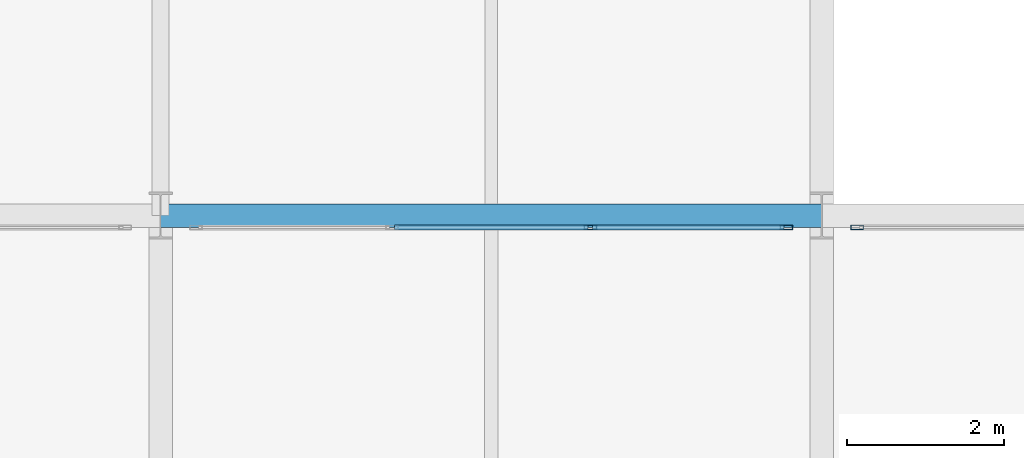
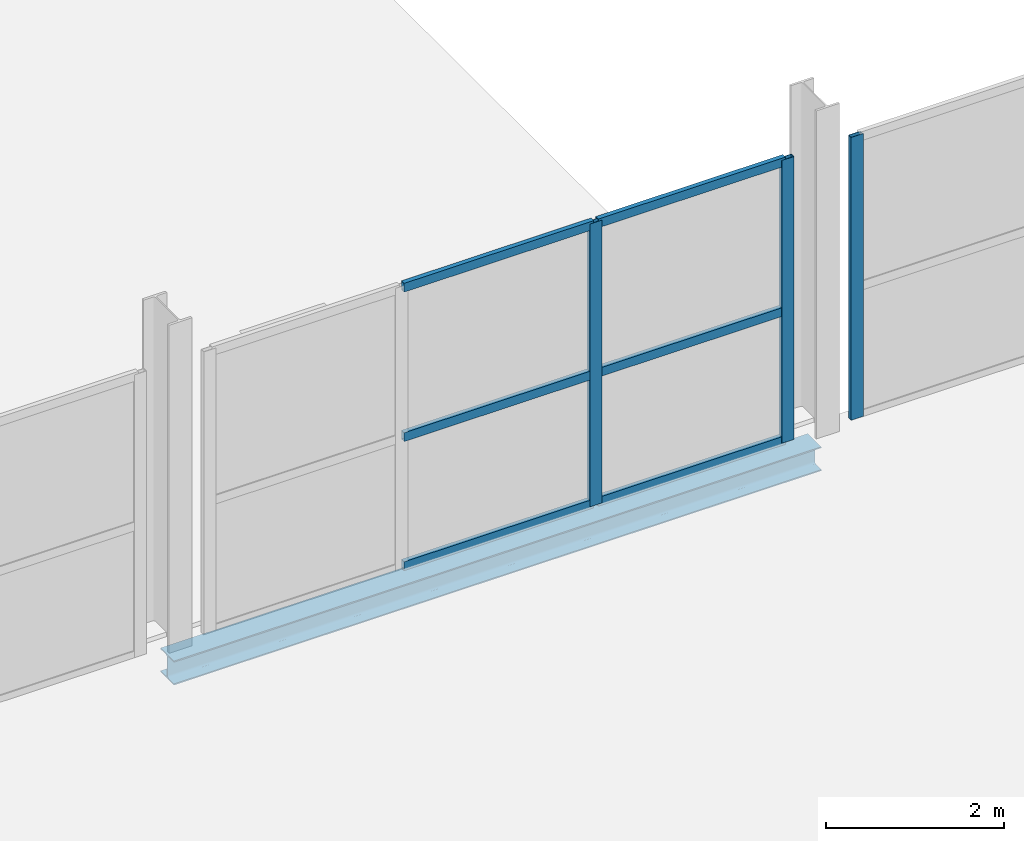
# One storey, part 75 of 130: 9 members, 1 beam, 2 elements without a shape of their own.
"""IFC4 building model written with IfcOpenShell, lengths in metres."""

import ifcopenshell
import ifcopenshell.guid

model = None  # the IFC model being written
_history = None  # IfcOwnerHistory: only IFC2X3 demands one
_inside = {}  # id of a spatial element -> (the spatial element, [elements in it])
_under = {}  # id of a project, library or spatial element -> (it, [spatial elements below it])
_declared = {}  # id of a project -> (the project, [libraries it declares])
_typed = {}  # id of a type object -> (the type object, [elements of that type])
_made_of = {}  # id of a material, layer set ... -> (it, [elements and type objects made of it])


def new_model(schema):
    """Start an empty IFC model of exactly this schema.

    Asked for "IFC4X3", IfcOpenShell would pick the latest addendum, in which some entities
    have other attributes; the version numbers below select the first issue.
    IFC2X3 requires an IfcOwnerHistory on every rooted entity: one is made here for all.
    """
    global model, _history
    if schema == "IFC4X3":
        model = ifcopenshell.file(schema_version=(4, 3, 0, 0))
    else:
        model = ifcopenshell.file(schema=schema)
    _inside.clear()
    _under.clear()
    _declared.clear()
    _typed.clear()
    _made_of.clear()
    _history = None
    if model.schema == "IFC2X3":
        org = make("IfcOrganization", Name="unknown")
        user = make(
            "IfcPersonAndOrganization",
            ThePerson=make("IfcPerson", FamilyName="unknown"),
            TheOrganization=org,
        )
        app = make(
            "IfcApplication",
            ApplicationDeveloper=org,
            Version="unknown",
            ApplicationFullName="unknown",
            ApplicationIdentifier="unknown",
        )
        _history = make(
            "IfcOwnerHistory",
            OwningUser=user,
            OwningApplication=app,
            ChangeAction="ADDED",
            CreationDate=0,
        )
    return model


def make(cls, **values):
    """One entity of the class cls with the attributes given. An attribute that is None is left unset."""
    return model.create_entity(
        cls, **{name: value for name, value in values.items() if value is not None}
    )


def rooted(cls, **values):
    """An entity with a GlobalId (a new one), such as an element, a storey or a relation."""
    return make(cls, GlobalId=ifcopenshell.guid.new(), OwnerHistory=_history, **values)


def si_unit(unit_type, name, prefix=None):
    """IfcSIUnit, for example si_unit("LENGTHUNIT", "METRE", prefix="MILLI")."""
    return make("IfcSIUnit", UnitType=unit_type, Prefix=prefix, Name=name)


def assignment(units):
    """IfcUnitAssignment: the units of a project."""
    return None if units is None else make("IfcUnitAssignment", Units=units)


def point(xyz):
    """IfcCartesianPoint."""
    return None if xyz is None else make("IfcCartesianPoint", Coordinates=xyz)


def direction(xyz):
    """IfcDirection."""
    return None if xyz is None else make("IfcDirection", DirectionRatios=xyz)


def frame(location, z_axis=None, x_axis=None):
    """IfcAxis2Placement3D, a coordinate frame: its origin and axes. An axis left out is left unset."""
    return make(
        "IfcAxis2Placement3D",
        Location=point(location),
        Axis=direction(z_axis),
        RefDirection=direction(x_axis),
    )


def frame_2d(location, x_axis=None):
    """IfcAxis2Placement2D, a coordinate frame in the plane: its origin and x axis."""
    return make(
        "IfcAxis2Placement2D", Location=point(location), RefDirection=direction(x_axis)
    )


def origin():
    """The frame at (0, 0, 0) with its axes left unset."""
    return frame((0.0, 0.0, 0.0))


def origin_2d():
    """The frame at (0, 0) in the plane with its x axis left unset."""
    return frame_2d((0.0, 0.0))


def place(relative_to, where):
    """IfcLocalPlacement: puts the frame where relative to a parent placement (None: the world)."""
    return make(
        "IfcLocalPlacement", PlacementRelTo=relative_to, RelativePlacement=where
    )


def context(
    kind, dimensions, precision=None, world=None, true_north=None, identifier=None
):
    """IfcGeometricRepresentationContext, for example the 3D "Model" context."""
    return make(
        "IfcGeometricRepresentationContext",
        ContextIdentifier=identifier,
        ContextType=kind,
        CoordinateSpaceDimension=dimensions,
        Precision=precision,
        WorldCoordinateSystem=world,
        TrueNorth=true_north,
    )


def subcontext(parent, identifier, kind, view, scale=None):
    """IfcGeometricRepresentationSubContext, for example "Body" below "Model"."""
    return make(
        "IfcGeometricRepresentationSubContext",
        ContextIdentifier=identifier,
        ContextType=kind,
        ParentContext=parent,
        TargetScale=scale,
        TargetView=view,
    )


def project(units=None, contexts=None):
    """IfcProject with its units and contexts."""
    return rooted(
        "IfcProject",
        Name="project",
        RepresentationContexts=contexts,
        UnitsInContext=assignment(units),
    )


def spatial(cls, under=None, at=None, **own):
    """A site, building, storey or space (cls), placed at a placement, below another one or the project."""
    s = rooted(cls, ObjectPlacement=at, **own)
    if under is not None:
        _under.setdefault(under.id(), (under, []))[1].append(s)
    return s


def profile(cls, at=None, kind="AREA", **sizes):
    """A parametric profile (cls). Its sizes go by their IFC names, for example OverallWidth=200.0."""
    return make(cls, ProfileType=kind, Position=at, **sizes)


def hollow_rectangle(**sizes):
    """IfcRectangleHollowProfileDef."""
    return profile("IfcRectangleHollowProfileDef", **sizes)


def i_section(**sizes):
    """IfcIShapeProfileDef."""
    return profile("IfcIShapeProfileDef", **sizes)


def extrude(swept, where, along, depth):
    """IfcExtrudedAreaSolid: the profile swept, set in the frame where, extruded along a direction by depth."""
    return make(
        "IfcExtrudedAreaSolid",
        SweptArea=swept,
        Position=where,
        ExtrudedDirection=direction(along),
        Depth=depth,
    )


def shape(context_of_items, identifier, shape_type, items):
    """IfcShapeRepresentation: the items that make up one representation, for example the "Body"."""
    return make(
        "IfcShapeRepresentation",
        ContextOfItems=context_of_items,
        RepresentationIdentifier=identifier,
        RepresentationType=shape_type,
        Items=items,
    )


def material(Name=None, Category=None):
    """IfcMaterial."""
    return make("IfcMaterial", Name=Name, Category=Category)


def material_profile(
    of_material, cross_section, Name=None, Category=None, Priority=None
):
    """IfcMaterialProfile: a cross section and its material."""
    return make(
        "IfcMaterialProfile",
        Name=Name,
        Material=of_material,
        Profile=cross_section,
        Priority=Priority,
        Category=Category,
    )


def profile_set(profiles, Name=None, composite=None):
    """IfcMaterialProfileSet."""
    return make(
        "IfcMaterialProfileSet",
        Name=Name,
        MaterialProfiles=profiles,
        CompositeProfile=composite,
    )


def made_of(thing, what):
    """Note that an element or type object is made of a material, layer set ...; save() writes the relation."""
    if what is not None:
        _made_of.setdefault(what.id(), (what, []))[1].append(thing)
    return thing


def type_object(cls, material=None, **own):
    """A type object (cls), such as IfcWallType, which elements share."""
    return made_of(rooted(cls, **own), material)


def element(
    cls,
    number,
    at=None,
    inside=None,
    cuts=None,
    type_object=None,
    material=None,
    context=None,
    identifier="Body",
    shape_type=None,
    held_by="IfcProductDefinitionShape",
    body=None,
    shapes=None,
    **own,
):
    """One element of the class cls, such as IfcWall. Its Tag is "e" and its number.

    at: its placement. inside: the storey or other place that contains it. cuts: it is an
    opening in that element (IfcRelVoidsElement). A single representation is given by context,
    identifier, shape_type and body (its items); several are given by shapes. held_by: the class
    of the entity that holds the representations. save() writes the other relations.
    """
    e = rooted(cls, Tag="e%d" % number, ObjectPlacement=at, **own)
    if body is not None:
        shapes = [shape(context, identifier, shape_type, body)]
    if shapes is not None:
        e.Representation = make(held_by, Representations=shapes)
    if inside is not None:
        _inside.setdefault(inside.id(), (inside, []))[1].append(e)
    if cuts is not None:
        rooted(
            "IfcRelVoidsElement", RelatingBuildingElement=cuts, RelatedOpeningElement=e
        )
    if type_object is not None:
        _typed.setdefault(type_object.id(), (type_object, []))[1].append(e)
    return made_of(e, material)


def aggregate(whole, parts):
    """IfcRelAggregates: a whole, such as a stair, and the parts it consists of."""
    return rooted("IfcRelAggregates", RelatingObject=whole, RelatedObjects=parts)


def save(model, path):
    """Write the relations noted so far, then the file.

    IfcRelAggregates (storeys below a building ...), IfcRelContainedInSpatialStructure (elements
    in a storey), IfcRelDefinesByType, IfcRelAssociatesMaterial and IfcRelDeclares: one each for
    every whole, place, type object, material and project.
    """
    for whole, parts in _under.values():
        aggregate(whole, parts)
    for where, things in _inside.values():
        rooted(
            "IfcRelContainedInSpatialStructure",
            RelatedElements=things,
            RelatingStructure=where,
        )
    for kind, things in _typed.values():
        rooted("IfcRelDefinesByType", RelatedObjects=things, RelatingType=kind)
    for what, things in _made_of.values():
        rooted("IfcRelAssociatesMaterial", RelatedObjects=things, RelatingMaterial=what)
    for by, libraries in _declared.values():
        rooted("IfcRelDeclares", RelatingContext=by, RelatedDefinitions=libraries)
    model.write(path)


model = new_model("IFC4")

# Units and contexts
model_context = context("Model", 3, precision=1e-05, world=origin(), true_north=direction((0.0, 1.0)))
body_context = subcontext(model_context, "Body", "Model", "MODEL_VIEW")
ifc_project = project(units=[si_unit("LENGTHUNIT", "METRE"), si_unit("AREAUNIT", "SQUARE_METRE"), si_unit("VOLUMEUNIT", "CUBIC_METRE"), si_unit("PLANEANGLEUNIT", "RADIAN"), si_unit("MASSUNIT", "GRAM", prefix="KILO")], contexts=[model_context])

# Site, building, storey
site_placement = place(None, origin())
site = spatial("IfcSite", under=ifc_project, at=site_placement, CompositionType="ELEMENT")
building_placement = place(site_placement, origin())
building = spatial("IfcBuilding", under=site, at=building_placement, Name="Veltarok Museum of Natural Sciences", CompositionType="ELEMENT")
storey_placement = place(building_placement, frame((0.0, 0.0, 12.89990234375)))
storey = spatial("IfcBuildingStorey", under=building, at=storey_placement, Name="L02", CompositionType="ELEMENT", Elevation=12.89990234375)

# Curtain wall, members
ifc_material_1 = material(Name="Low-iron triple insulated glass", Category="glass")
curtain_wall_type_1 = type_object("IfcCurtainWallType", Name="Curtain Wall System CW-V2N-L02-9-756x388 (V2 North Hall L02 9-10 756x388cm)", PredefinedType="NOTDEFINED", material=ifc_material_1)
curtain_wall_1_placement = place(storey_placement, origin())
curtain_wall_1 = element("IfcCurtainWall", 1, at=curtain_wall_1_placement, inside=storey, type_object=curtain_wall_type_1, Name="Curtain Wall CW-V2N-L02-9-756x388 CW-0052", PredefinedType="NOTDEFINED")
ifc_material_2 = material(Name="Thermally broken anodised aluminium", Category="aluminium")
ifc_material_profile_1 = material_profile(ifc_material_2, hollow_rectangle(XDim=0.06005859375, YDim=0.1201171875, WallThickness=0.0048828125, at=origin_2d()), Name="CW TRANSOM 60x120x5")
ifc_profile_set_1 = profile_set([ifc_material_profile_1], Name="Thermally broken anodised aluminium")
member_type_1 = type_object("IfcMemberType", Name="Curtain Wall Horizontal Transom 60x120x5", PredefinedType="USERDEFINED", material=ifc_profile_set_1)
member_1_placement = place(storey_placement, frame((81.52001953125, 71.85009765625, 0.030029296875), z_axis=(-1.0, 0.0, 0.0), x_axis=(0.0, -1.0, 0.0)))
member_1 = element("IfcMember", 2, at=member_1_placement, type_object=member_type_1, Name="CW-V2N-L02-9-756x388 transom 1.1", ObjectType="TRANSOM", PredefinedType="USERDEFINED", context=body_context, shape_type="SweptSolid", body=[
    extrude(hollow_rectangle(XDim=0.06005859375, YDim=0.1201171875, WallThickness=0.0048828125, at=origin_2d()), origin(), (0.0, 0.0, 1.0), 2.429931640625),
])
member_2_placement = place(storey_placement, frame((81.52001953125, 71.85009765625, 1.800048828125), z_axis=(-1.0, 0.0, 0.0), x_axis=(0.0, -1.0, 0.0)))
member_2 = element("IfcMember", 3, at=member_2_placement, type_object=member_type_1, Name="CW-V2N-L02-9-756x388 transom 1.2", ObjectType="TRANSOM", PredefinedType="USERDEFINED", context=body_context, shape_type="SweptSolid", body=[
    extrude(hollow_rectangle(XDim=0.06005859375, YDim=0.1201171875, WallThickness=0.0048828125, at=origin_2d()), origin(), (0.0, 0.0, 1.0), 2.429931640625),
])
member_3_placement = place(storey_placement, frame((81.52001953125, 71.85009765625, 3.85009765625), z_axis=(-1.0, 0.0, 0.0), x_axis=(0.0, -1.0, 0.0)))
member_3 = element("IfcMember", 4, at=member_3_placement, type_object=member_type_1, Name="CW-V2N-L02-9-756x388 transom 1.3", ObjectType="TRANSOM", PredefinedType="USERDEFINED", context=body_context, shape_type="SweptSolid", body=[
    extrude(hollow_rectangle(XDim=0.06005859375, YDim=0.1201171875, WallThickness=0.0048828125, at=origin_2d()), origin(), (0.0, 0.0, 1.0), 2.429931640625),
])
member_4_placement = place(storey_placement, frame((79.030029296875, 71.85009765625, 0.030029296875), z_axis=(-1.0, 0.0, 0.0), x_axis=(0.0, -1.0, 0.0)))
member_4 = element("IfcMember", 5, at=member_4_placement, type_object=member_type_1, Name="CW-V2N-L02-9-756x388 transom 2.1", ObjectType="TRANSOM", PredefinedType="USERDEFINED", context=body_context, shape_type="SweptSolid", body=[
    extrude(hollow_rectangle(XDim=0.06005859375, YDim=0.1201171875, WallThickness=0.0048828125, at=origin_2d()), origin(), (0.0, 0.0, 1.0), 2.4599609375),
])
member_5_placement = place(storey_placement, frame((79.030029296875, 71.85009765625, 1.800048828125), z_axis=(-1.0, 0.0, 0.0), x_axis=(0.0, -1.0, 0.0)))
member_5 = element("IfcMember", 6, at=member_5_placement, type_object=member_type_1, Name="CW-V2N-L02-9-756x388 transom 2.2", ObjectType="TRANSOM", PredefinedType="USERDEFINED", context=body_context, shape_type="SweptSolid", body=[
    extrude(hollow_rectangle(XDim=0.06005859375, YDim=0.1201171875, WallThickness=0.0048828125, at=origin_2d()), origin(), (0.0, 0.0, 1.0), 2.4599609375),
])
member_6_placement = place(storey_placement, frame((79.030029296875, 71.85009765625, 3.85009765625), z_axis=(-1.0, 0.0, 0.0), x_axis=(0.0, -1.0, 0.0)))
member_6 = element("IfcMember", 7, at=member_6_placement, type_object=member_type_1, Name="CW-V2N-L02-9-756x388 transom 2.3", ObjectType="TRANSOM", PredefinedType="USERDEFINED", context=body_context, shape_type="SweptSolid", body=[
    extrude(hollow_rectangle(XDim=0.06005859375, YDim=0.1201171875, WallThickness=0.0048828125, at=origin_2d()), origin(), (0.0, 0.0, 1.0), 2.4599609375),
])
ifc_material_profile_2 = material_profile(ifc_material_2, hollow_rectangle(XDim=0.06005859375, YDim=0.159912109375, WallThickness=0.0048828125, at=origin_2d()), Name="CW MULLION 60x160x5")
ifc_profile_set_2 = profile_set([ifc_material_profile_2], Name="Thermally broken anodised aluminium")
member_type_2 = type_object("IfcMemberType", Name="Curtain Wall Vertical Mullion 60x160x5", PredefinedType="MULLION", material=ifc_profile_set_2)
member_7_placement = place(storey_placement, frame((81.550048828125, 71.85009765625, 0.0), z_axis=(0.0, 0.0, 1.0), x_axis=(0.0, -1.0, 0.0)))
member_7 = element("IfcMember", 8, at=member_7_placement, type_object=member_type_2, Name="CW-V2N-L02-9-756x388 mullion 1", PredefinedType="MULLION", context=body_context, shape_type="SweptSolid", body=[
    extrude(hollow_rectangle(XDim=0.06005859375, YDim=0.159912109375, WallThickness=0.0048828125, at=origin_2d()), origin(), (0.0, 0.0, 1.0), 3.880126953125),
])
member_8_placement = place(storey_placement, frame((79.06005859375, 71.85009765625, 0.0), z_axis=(0.0, 0.0, 1.0), x_axis=(0.0, -1.0, 0.0)))
member_8 = element("IfcMember", 9, at=member_8_placement, type_object=member_type_2, Name="CW-V2N-L02-9-756x388 mullion 2", PredefinedType="MULLION", context=body_context, shape_type="SweptSolid", body=[
    extrude(hollow_rectangle(XDim=0.06005859375, YDim=0.159912109375, WallThickness=0.0048828125, at=origin_2d()), origin(), (0.0, 0.0, 1.0), 3.880126953125),
])
aggregate(curtain_wall_1, [member_7, member_8, member_1, member_2, member_3, member_4, member_5, member_6])

# Curtain wall, member
curtain_wall_type_2 = type_object("IfcCurtainWallType", Name="Curtain Wall System CW-V2N-L02-10-756x388 (V2 North Hall L02 10-11 756x388cm)", PredefinedType="NOTDEFINED", material=ifc_material_1)
curtain_wall_2_placement = place(storey_placement, origin())
curtain_wall_2 = element("IfcCurtainWall", 10, at=curtain_wall_2_placement, inside=storey, type_object=curtain_wall_type_2, Name="Curtain Wall CW-V2N-L02-10-756x388 CW-0053", PredefinedType="NOTDEFINED")
member_9_placement = place(storey_placement, frame((82.449951171875, 71.85009765625, 0.0), z_axis=(0.0, 0.0, 1.0), x_axis=(0.0, -1.0, 0.0)))
member_9 = element("IfcMember", 11, at=member_9_placement, type_object=member_type_2, Name="CW-V2N-L02-10-756x388 mullion 4", PredefinedType="MULLION", context=body_context, shape_type="SweptSolid", body=[
    extrude(hollow_rectangle(XDim=0.06005859375, YDim=0.159912109375, WallThickness=0.0048828125, at=origin_2d()), origin(), (0.0, 0.0, 1.0), 3.880126953125),
])
aggregate(curtain_wall_2, [member_9])

# Beam
ifc_material_3 = material(Name="Steel S355J2", Category="steel")
ifc_material_profile_3 = material_profile(ifc_material_3, i_section(OverallWidth=0.300048828125, OverallDepth=0.330078125, WebThickness=0.009521484375, FlangeThickness=0.0166015625, FilletRadius=0.027099609375, at=origin_2d()), Name="HEA 340")
ifc_profile_set_3 = profile_set([ifc_material_profile_3], Name="Steel S355J2")
beam_type = type_object("IfcBeamType", Name="Perimeter Upper Spandrel HEA 340", PredefinedType="SPANDREL", material=ifc_profile_set_3)
beam_placement = place(storey_placement, frame((73.60009765625, 72.0, -0.414794921875), z_axis=(1.0, 0.0, 0.0), x_axis=(0.0, 1.0, 0.0)))
element("IfcBeam", 12, at=beam_placement, inside=storey, type_object=beam_type, Name="Beam BM-SP05 L02 9-10/H", PredefinedType="SPANDREL", context=body_context, shape_type="SweptSolid", body=[
    extrude(i_section(OverallWidth=0.300048828125, OverallDepth=0.330078125, WebThickness=0.009521484375, FlangeThickness=0.0166015625, FilletRadius=0.027099609375, at=origin_2d()), origin(), (0.0, 0.0, 1.0), 8.39990234375),
])

save(model, "model.ifc")
